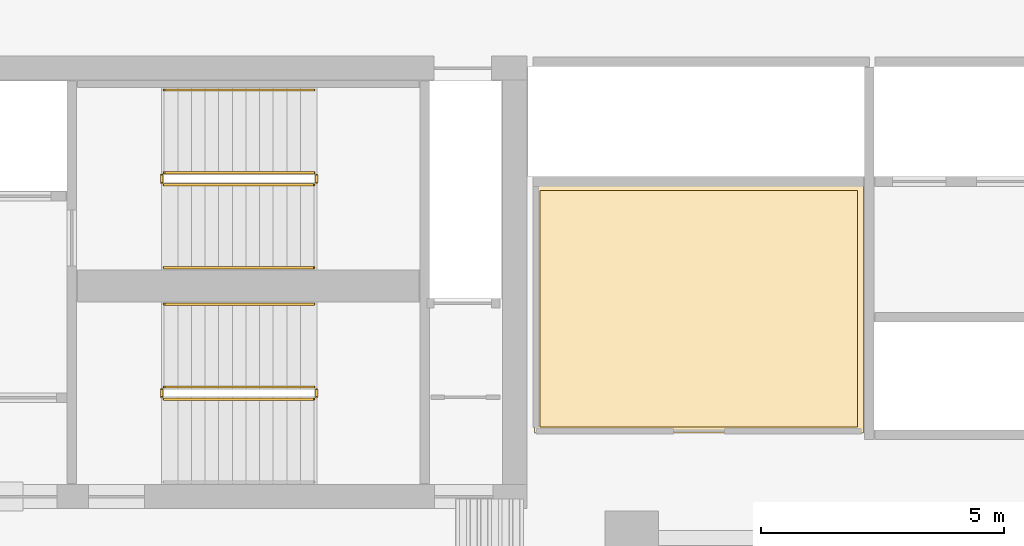
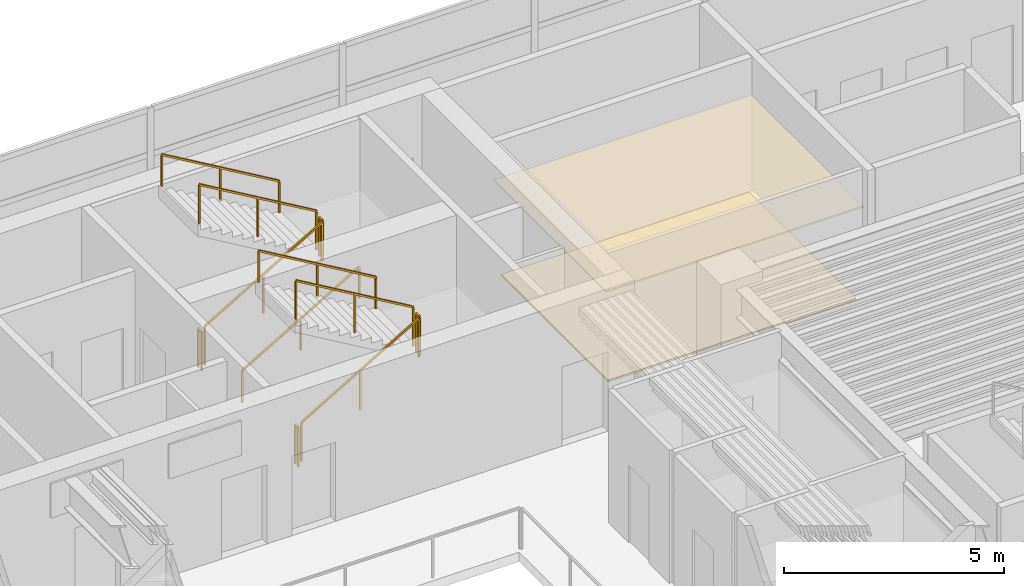
# One storey, part 12 of 12: 11 railings, 2 coverings.
"""IFC4 building model written with IfcOpenShell, lengths in metres."""

from ifc_helpers import new_model, si_unit, direction, frame, origin, origin_2d, place, context, subcontext, project, spatial, polyline, rectangle, outline, extrude, material, layer, layer_set, type_object, element, save


model = new_model("IFC4")

# Units and contexts
model_context = context("Model", 3, precision=1e-05, world=origin(), true_north=direction((0.0, 1.0)))
body_context = subcontext(model_context, "Body", "Model", "MODEL_VIEW")
ifc_project = project(units=[si_unit("LENGTHUNIT", "METRE"), si_unit("AREAUNIT", "SQUARE_METRE"), si_unit("VOLUMEUNIT", "CUBIC_METRE"), si_unit("PLANEANGLEUNIT", "RADIAN"), si_unit("MASSUNIT", "GRAM", prefix="KILO")], contexts=[model_context])

# Site, building, storey
site_placement = place(None, origin())
site = spatial("IfcSite", under=ifc_project, at=site_placement, CompositionType="ELEMENT")
building_placement = place(site_placement, origin())
building = spatial("IfcBuilding", under=site, at=building_placement, Name="Caeloran Harvest Quay", CompositionType="ELEMENT")
storey_placement = place(building_placement, frame((0.0, 0.0, 111.39990234375)))
storey = spatial("IfcBuildingStorey", under=building, at=storey_placement, Name="L25", CompositionType="ELEMENT", Elevation=111.39990234375)

# Coverings
ifc_material_1 = material(Name="Perforated Mineral-Fibre Acoustic Ceiling Tile", Category="ceiling")
ifc_layer_1 = layer(ifc_material_1, 0.0400390625, Name="Perforated Mineral-Fibre Acoustic Ceiling Tile")
ifc_layer_set_1 = layer_set([ifc_layer_1], Name="Perforated Mineral-Fibre Acoustic Ceiling Tile")
covering_type_1 = type_object("IfcCoveringType", Name="COV-CEILING-ACOUSTIC", PredefinedType="CEILING", material=ifc_layer_set_1)
covering_1_placement = place(storey_placement, frame((0.0, 0.0, 2.60009765625)))
element("IfcCovering", 1, at=covering_1_placement, inside=storey, type_object=covering_type_1, Name="L25 North Core Calibration Lab Acoustic Ceiling", PredefinedType="CEILING", context=body_context, shape_type="SweptSolid", body=[
    extrude(outline(polyline([(30.260009765625, 33.159912109375), (23.5, 33.159912109375), (23.5, 38.260009765625), (30.260009765625, 38.260009765625), (30.260009765625, 33.159912109375)])), origin(), (0.0, 0.0, 1.0), 0.0400390625),
])
ifc_material_2 = material(Name="Calcium-Sulphate Raised Access Floor and Terrazzo Finish", Category="flooring")
ifc_layer_2 = layer(ifc_material_2, 0.050048828125, Name="Calcium-Sulphate Raised Access Floor and Terrazzo Finish")
ifc_layer_set_2 = layer_set([ifc_layer_2], Name="Calcium-Sulphate Raised Access Floor and Terrazzo Finish")
covering_type_2 = type_object("IfcCoveringType", Name="COV-FLOOR-RAISED", PredefinedType="FLOORING", material=ifc_layer_set_2)
covering_2_placement = place(storey_placement, origin())
element("IfcCovering", 2, at=covering_2_placement, inside=storey, type_object=covering_type_2, Name="L25 North Core Calibration Lab Raised Finish Flooring", PredefinedType="FLOORING", context=body_context, shape_type="SweptSolid", body=[
    extrude(outline(polyline([(30.139892578125, 33.280029296875), (23.6201171875, 33.280029296875), (23.6201171875, 38.139892578125), (30.139892578125, 38.139892578125), (30.139892578125, 33.280029296875)])), origin(), (0.0, 0.0, 1.0), 0.050048828125),
])

# Railings
ifc_material_3 = material(Name="Painted Steel Baluster and Top-Rail Stair Guard", Category="steel")
ifc_layer_3 = layer(ifc_material_3, 0.050048828125, Name="Painted Steel Baluster and Top-Rail Stair Guard")
ifc_layer_set_3 = layer_set([ifc_layer_3], Name="Painted Steel Baluster and Top-Rail Stair Guard")
railing_type_1 = type_object("IfcRailingType", Name="STAIR-GUARD-1100", PredefinedType="GUARDRAIL", material=ifc_layer_set_3)
railing_1_placement = place(storey_placement, frame((15.89990234375, 38.25, 0.164794921875)))
element("IfcRailing", 3, at=railing_1_placement, inside=storey, type_object=railing_type_1, Name="L25 ST-C1 stair guard 1", PredefinedType="GUARDRAIL", context=body_context, shape_type="SweptSolid", body=[
    extrude(rectangle(XDim=0.048095703125, YDim=0.048095703125, at=origin_2d()), frame((0.0, 0.0, 1.076171875), z_axis=(0.862118610829, 0.0, 0.506706523406), x_axis=(0.0, 1.0, 0.0)), (0.0, 0.0, 1.0), 3.57275390625),
    extrude(rectangle(XDim=0.0419921875, YDim=0.0419921875, at=origin_2d()), origin(), (0.0, 0.0, 1.0), 1.052001953125),
    extrude(rectangle(XDim=0.0419921875, YDim=0.0419921875, at=origin_2d()), frame((1.5400390625, 0.0, 0.9052734375)), (0.0, 0.0, 1.0), 1.052001953125),
    extrude(rectangle(XDim=0.0419921875, YDim=0.0419921875, at=origin_2d()), frame((3.080078125, 0.0, 1.810302734375)), (0.0, 0.0, 1.0), 1.052001953125),
])
railing_2_placement = place(storey_placement, frame((19.030029296875, 38.300048828125, 1.97509765625)))
element("IfcRailing", 4, at=railing_2_placement, inside=storey, type_object=railing_type_1, Name="L25 ST-C1 stair guard 2", PredefinedType="GUARDRAIL", context=body_context, shape_type="SweptSolid", body=[
    extrude(rectangle(XDim=0.048095703125, YDim=0.048095703125, at=origin_2d()), frame((0.0, 0.0, 1.076171875), z_axis=(0.0, 1.0, 0.0), x_axis=(-1.0, 0.0, 0.0)), (0.0, 0.0, 1.0), 0.14990234375),
    extrude(rectangle(XDim=0.0419921875, YDim=0.0419921875, at=origin_2d()), origin(), (0.0, 0.0, 1.0), 1.052001953125),
    extrude(rectangle(XDim=0.0419921875, YDim=0.0419921875, at=origin_2d()), frame((0.0, 0.14990234375, 0.0)), (0.0, 0.0, 1.0), 1.052001953125),
])
railing_3_placement = place(storey_placement, frame((18.97998046875, 38.5, 2.1396484375)))
element("IfcRailing", 5, at=railing_3_placement, inside=storey, type_object=railing_type_1, Name="L25 ST-C1 stair guard 3", PredefinedType="GUARDRAIL", context=body_context, shape_type="SweptSolid", body=[
    extrude(rectangle(XDim=0.048095703125, YDim=0.048095703125, at=origin_2d()), frame((0.0, 0.0, 1.076171875), z_axis=(-0.862088758681, 0.0, 0.506757310905), x_axis=(0.0, -1.0, 0.0)), (0.0, 0.0, 1.0), 3.57275390625),
    extrude(rectangle(XDim=0.0419921875, YDim=0.0419921875, at=origin_2d()), origin(), (0.0, 0.0, 1.0), 1.052001953125),
    extrude(rectangle(XDim=0.0419921875, YDim=0.0419921875, at=origin_2d()), frame((-1.5400390625, 0.0, 0.9052734375)), (0.0, 0.0, 1.0), 1.052001953125),
    extrude(rectangle(XDim=0.0419921875, YDim=0.0419921875, at=origin_2d()), frame((-3.080078125, 0.0, 1.810546875)), (0.0, 0.0, 1.0), 1.052001953125),
])
railing_4_placement = place(storey_placement, frame((15.85009765625, 38.300048828125, 0.0)))
element("IfcRailing", 6, at=railing_4_placement, inside=storey, type_object=railing_type_1, Name="L25 ST-C1 stair guard 4", PredefinedType="GUARDRAIL", context=body_context, shape_type="SweptSolid", body=[
    extrude(rectangle(XDim=0.048095703125, YDim=0.048095703125, at=origin_2d()), frame((0.0, 0.0, 1.076171875), z_axis=(0.0, 1.0, 0.0), x_axis=(-1.0, 0.0, 0.0)), (0.0, 0.0, 1.0), 0.14990234375),
    extrude(rectangle(XDim=0.0419921875, YDim=0.0419921875, at=origin_2d()), origin(), (0.0, 0.0, 1.0), 1.052001953125),
    extrude(rectangle(XDim=0.0419921875, YDim=0.0419921875, at=origin_2d()), frame((0.0, 0.14990234375, 0.0)), (0.0, 0.0, 1.0), 1.052001953125),
])
railing_5_placement = place(storey_placement, frame((15.89990234375, 33.85009765625, 0.164794921875)))
element("IfcRailing", 7, at=railing_5_placement, inside=storey, type_object=railing_type_1, Name="L25 ST-C2 stair guard 1", PredefinedType="GUARDRAIL", context=body_context, shape_type="SweptSolid", body=[
    extrude(rectangle(XDim=0.048095703125, YDim=0.048095703125, at=origin_2d()), frame((0.0, 0.0, 1.076171875), z_axis=(0.862118610829, 0.0, 0.506706523406), x_axis=(0.0, 1.0, 0.0)), (0.0, 0.0, 1.0), 3.57275390625),
    extrude(rectangle(XDim=0.0419921875, YDim=0.0419921875, at=origin_2d()), origin(), (0.0, 0.0, 1.0), 1.052001953125),
    extrude(rectangle(XDim=0.0419921875, YDim=0.0419921875, at=origin_2d()), frame((1.5400390625, 0.0, 0.9052734375)), (0.0, 0.0, 1.0), 1.052001953125),
    extrude(rectangle(XDim=0.0419921875, YDim=0.0419921875, at=origin_2d()), frame((3.080078125, 0.0, 1.810302734375)), (0.0, 0.0, 1.0), 1.052001953125),
])
railing_6_placement = place(storey_placement, frame((19.030029296875, 33.89990234375, 1.97509765625)))
element("IfcRailing", 8, at=railing_6_placement, inside=storey, type_object=railing_type_1, Name="L25 ST-C2 stair guard 2", PredefinedType="GUARDRAIL", context=body_context, shape_type="SweptSolid", body=[
    extrude(rectangle(XDim=0.048095703125, YDim=0.048095703125, at=origin_2d()), frame((0.0, 0.0, 1.076171875), z_axis=(0.0, 1.0, 0.0), x_axis=(-1.0, 0.0, 0.0)), (0.0, 0.0, 1.0), 0.150146484375),
    extrude(rectangle(XDim=0.0419921875, YDim=0.0419921875, at=origin_2d()), origin(), (0.0, 0.0, 1.0), 1.052001953125),
    extrude(rectangle(XDim=0.0419921875, YDim=0.0419921875, at=origin_2d()), frame((0.0, 0.150146484375, 0.0)), (0.0, 0.0, 1.0), 1.052001953125),
])
railing_7_placement = place(storey_placement, frame((18.97998046875, 34.10009765625, 2.1396484375)))
element("IfcRailing", 9, at=railing_7_placement, inside=storey, type_object=railing_type_1, Name="L25 ST-C2 stair guard 3", PredefinedType="GUARDRAIL", context=body_context, shape_type="SweptSolid", body=[
    extrude(rectangle(XDim=0.048095703125, YDim=0.048095703125, at=origin_2d()), frame((0.0, 0.0, 1.076171875), z_axis=(-0.862088758681, 0.0, 0.506757310905), x_axis=(0.0, -1.0, 0.0)), (0.0, 0.0, 1.0), 3.57275390625),
    extrude(rectangle(XDim=0.0419921875, YDim=0.0419921875, at=origin_2d()), origin(), (0.0, 0.0, 1.0), 1.052001953125),
    extrude(rectangle(XDim=0.0419921875, YDim=0.0419921875, at=origin_2d()), frame((-1.5400390625, 0.0, 0.9052734375)), (0.0, 0.0, 1.0), 1.052001953125),
    extrude(rectangle(XDim=0.0419921875, YDim=0.0419921875, at=origin_2d()), frame((-3.080078125, 0.0, 1.810546875)), (0.0, 0.0, 1.0), 1.052001953125),
])
railing_8_placement = place(storey_placement, frame((15.85009765625, 33.89990234375, 0.0)))
element("IfcRailing", 10, at=railing_8_placement, inside=storey, type_object=railing_type_1, Name="L25 ST-C2 stair guard 4", PredefinedType="GUARDRAIL", context=body_context, shape_type="SweptSolid", body=[
    extrude(rectangle(XDim=0.048095703125, YDim=0.048095703125, at=origin_2d()), frame((0.0, 0.0, 1.076171875), z_axis=(0.0, 1.0, 0.0), x_axis=(-1.0, 0.0, 0.0)), (0.0, 0.0, 1.0), 0.150146484375),
    extrude(rectangle(XDim=0.0419921875, YDim=0.0419921875, at=origin_2d()), origin(), (0.0, 0.0, 1.0), 1.052001953125),
    extrude(rectangle(XDim=0.0419921875, YDim=0.0419921875, at=origin_2d()), frame((0.0, 0.150146484375, 0.0)), (0.0, 0.0, 1.0), 1.052001953125),
])
ifc_material_4 = material(Name="Brushed Stainless Steel Grade 304", Category="steel")
ifc_layer_4 = layer(ifc_material_4, 0.050048828125, Name="Brushed Stainless Steel Grade 304")
ifc_layer_set_4 = layer_set([ifc_layer_4], Name="Brushed Stainless Steel Grade 304")
railing_type_2 = type_object("IfcRailingType", Name="STAIR-HANDRAIL-900", PredefinedType="HANDRAIL", material=ifc_layer_set_4)
railing_9_placement = place(storey_placement, frame((15.89990234375, 36.550048828125, 0.164794921875)))
element("IfcRailing", 11, at=railing_9_placement, inside=storey, type_object=railing_type_2, Name="L25 ST-C1 stair handrail 1", PredefinedType="HANDRAIL", context=body_context, shape_type="SweptSolid", body=[
    extrude(rectangle(XDim=0.048095703125, YDim=0.048095703125, at=origin_2d()), frame((0.0, 0.0, 0.8759765625), z_axis=(0.862118610829, 0.0, 0.506706523406), x_axis=(0.0, 1.0, 0.0)), (0.0, 0.0, 1.0), 3.57275390625),
    extrude(rectangle(XDim=0.0419921875, YDim=0.0419921875, at=origin_2d()), origin(), (0.0, 0.0, 1.0), 0.851806640625),
    extrude(rectangle(XDim=0.0419921875, YDim=0.0419921875, at=origin_2d()), frame((1.5400390625, 0.0, 0.9052734375)), (0.0, 0.0, 1.0), 0.851806640625),
    extrude(rectangle(XDim=0.0419921875, YDim=0.0419921875, at=origin_2d()), frame((3.080078125, 0.0, 1.810302734375)), (0.0, 0.0, 1.0), 0.851806640625),
])
for number, where, name in (
    (12, (18.97998046875, 40.199951171875, 2.1396484375), "L25 ST-C1 stair handrail 2"),
    (13, (18.97998046875, 35.800048828125, 2.1396484375), "L25 ST-C2 stair handrail 2"),
):
    element("IfcRailing", number, at=place(storey_placement, frame(where)), inside=storey, type_object=railing_type_2, Name=name, PredefinedType="HANDRAIL", context=body_context, shape_type="SweptSolid", body=[
        extrude(rectangle(XDim=0.048095703125, YDim=0.048095703125, at=origin_2d()), frame((0.0, 0.0, 0.8759765625), z_axis=(-0.862088758681, 0.0, 0.506757310905), x_axis=(0.0, -1.0, 0.0)), (0.0, 0.0, 1.0), 3.57275390625),
        extrude(rectangle(XDim=0.0419921875, YDim=0.0419921875, at=origin_2d()), origin(), (0.0, 0.0, 1.0), 0.851806640625),
        extrude(rectangle(XDim=0.0419921875, YDim=0.0419921875, at=origin_2d()), frame((-1.5400390625, 0.0, 0.9052734375)), (0.0, 0.0, 1.0), 0.851806640625),
        extrude(rectangle(XDim=0.0419921875, YDim=0.0419921875, at=origin_2d()), frame((-3.080078125, 0.0, 1.810546875)), (0.0, 0.0, 1.0), 0.851806640625),
    ])

save(model, "model.ifc")
